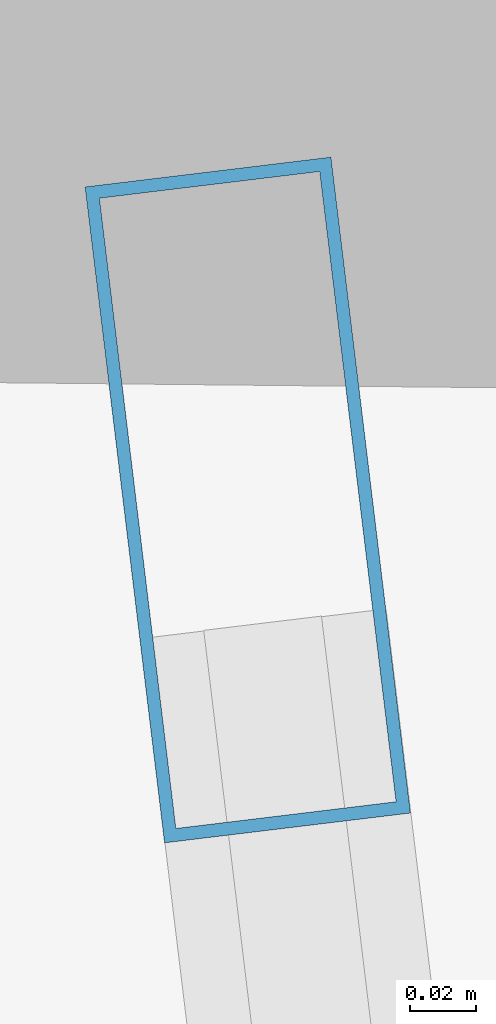
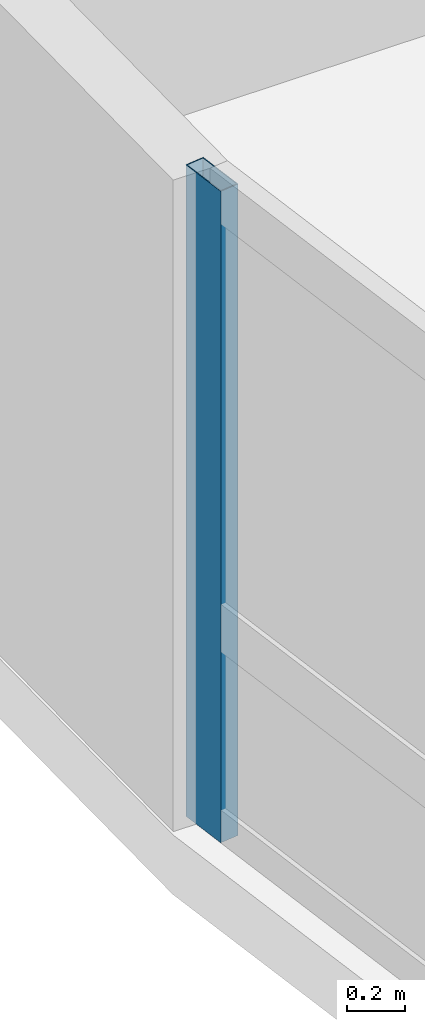
# One storey, part 8 of 22: 1 member, 1 element without a shape of its own.
"""IFC4 building model written with IfcOpenShell, lengths in metres."""

from ifc_helpers import new_model, si_unit, direction, frame, origin, origin_2d, place, context, subcontext, project, spatial, hollow_rectangle, extrude, material, layer, layer_set, material_profile, profile_set, type_object, element, aggregate, save


model = new_model("IFC4")

# Units and contexts
model_context = context("Model", 3, precision=1e-05, world=origin(), true_north=direction((0.0, 1.0)))
body_context = subcontext(model_context, "Body", "Model", "MODEL_VIEW")
ifc_project = project(units=[si_unit("LENGTHUNIT", "METRE"), si_unit("AREAUNIT", "SQUARE_METRE"), si_unit("VOLUMEUNIT", "CUBIC_METRE"), si_unit("PLANEANGLEUNIT", "RADIAN"), si_unit("MASSUNIT", "GRAM", prefix="KILO")], contexts=[model_context])

# Site, building, storey
site_placement = place(None, origin())
site = spatial("IfcSite", under=ifc_project, at=site_placement, CompositionType="ELEMENT")
building_placement = place(site_placement, origin())
building = spatial("IfcBuilding", under=site, at=building_placement, Name="Varnelok Gate Tower", CompositionType="ELEMENT")
storey_placement = place(building_placement, frame((0.0, 0.0, 178.300048828125)))
storey = spatial("IfcBuildingStorey", under=building, at=storey_placement, Name="L45", CompositionType="ELEMENT", Elevation=178.300048828125)

# Curtain wall, member
ifc_material = material(Name="Anodized Aluminum Alloy 6063-T6", Category="aluminium")
ifc_layer = layer(ifc_material, 0.179931640625)
ifc_layer_set = layer_set([ifc_layer], Name="Anodized Aluminum Alloy 6063-T6")
curtain_wall_type = type_object("IfcCurtainWallType", Name="CW4-RESIDENCE-VISION", PredefinedType="USERDEFINED", material=ifc_layer_set)
curtain_wall_placement = place(storey_placement, origin())
curtain_wall = element("IfcCurtainWall", 1, at=curtain_wall_placement, inside=storey, type_object=curtain_wall_type, Name="L45 West End Vision Curtain Wall", ObjectType="UNITISED CURTAIN WALL", PredefinedType="USERDEFINED")
ifc_material_profile = material_profile(ifc_material, hollow_rectangle(XDim=0.074951171875, YDim=0.199951171875, WallThickness=0.00390625, at=origin_2d()), Name="ALU200X75X4")
ifc_profile_set = profile_set([ifc_material_profile], Name="Anodized Aluminum Alloy 6063-T6")
member_type = type_object("IfcMemberType", Name="CW-MULL-200", PredefinedType="MULLION", material=ifc_profile_set)
member_placement = place(storey_placement, frame((2.290283203125, 37.610107421875, 0.0), z_axis=(0.0, 0.0, 1.0), x_axis=(-0.992732188751, -0.120344511371, 0.0)))
member = element("IfcMember", 2, at=member_placement, type_object=member_type, Name="CW4 mullion 6", PredefinedType="MULLION", context=body_context, shape_type="SweptSolid", body=[
    extrude(hollow_rectangle(XDim=0.074951171875, YDim=0.199951171875, WallThickness=0.00390625, at=origin_2d()), origin(), (0.0, 0.0, 1.0), 2.72998046875),
])
aggregate(curtain_wall, [member])

save(model, "model.ifc")
